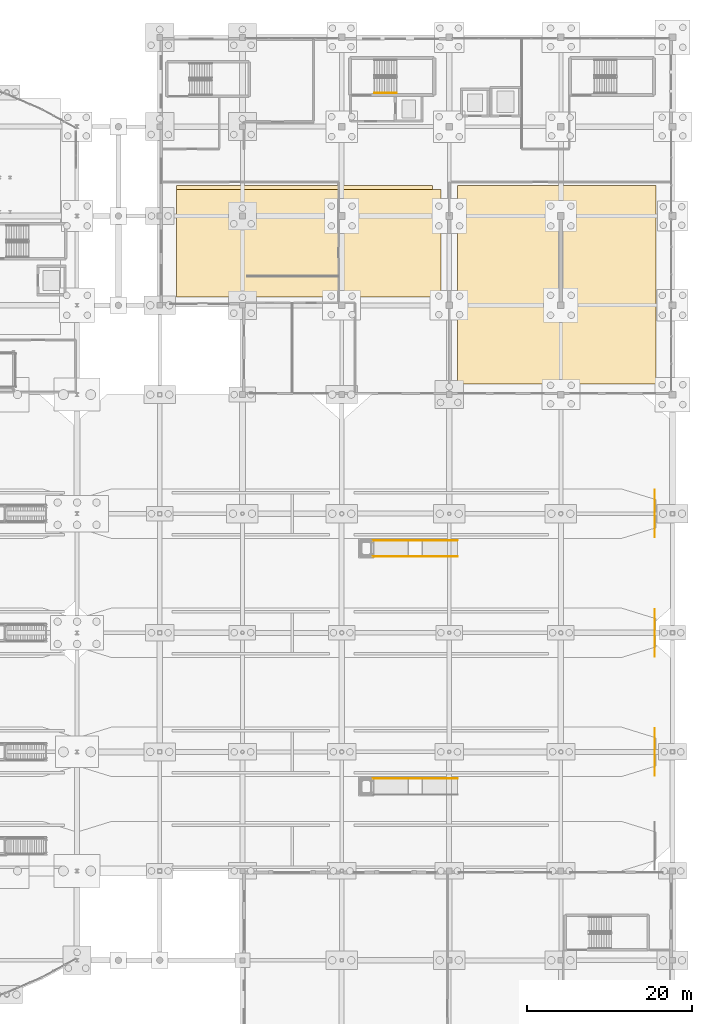
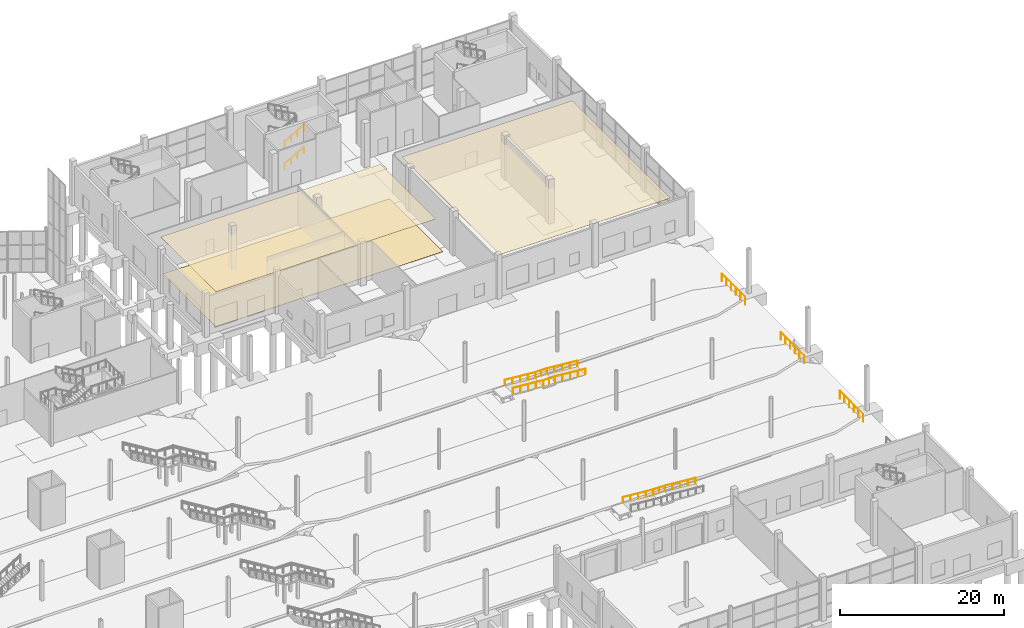
# One storey, part 113 of 115: 8 railings, 3 coverings.
"""IFC4 building model written with IfcOpenShell, lengths in metres."""

import ifcopenshell
import ifcopenshell.guid

model = None  # the IFC model being written
_history = None  # IfcOwnerHistory: only IFC2X3 demands one
_inside = {}  # id of a spatial element -> (the spatial element, [elements in it])
_under = {}  # id of a project, library or spatial element -> (it, [spatial elements below it])
_declared = {}  # id of a project -> (the project, [libraries it declares])
_typed = {}  # id of a type object -> (the type object, [elements of that type])
_made_of = {}  # id of a material, layer set ... -> (it, [elements and type objects made of it])


def new_model(schema):
    """Start an empty IFC model of exactly this schema.

    Asked for "IFC4X3", IfcOpenShell would pick the latest addendum, in which some entities
    have other attributes; the version numbers below select the first issue.
    IFC2X3 requires an IfcOwnerHistory on every rooted entity: one is made here for all.
    """
    global model, _history
    if schema == "IFC4X3":
        model = ifcopenshell.file(schema_version=(4, 3, 0, 0))
    else:
        model = ifcopenshell.file(schema=schema)
    _inside.clear()
    _under.clear()
    _declared.clear()
    _typed.clear()
    _made_of.clear()
    _history = None
    if model.schema == "IFC2X3":
        org = make("IfcOrganization", Name="unknown")
        user = make(
            "IfcPersonAndOrganization",
            ThePerson=make("IfcPerson", FamilyName="unknown"),
            TheOrganization=org,
        )
        app = make(
            "IfcApplication",
            ApplicationDeveloper=org,
            Version="unknown",
            ApplicationFullName="unknown",
            ApplicationIdentifier="unknown",
        )
        _history = make(
            "IfcOwnerHistory",
            OwningUser=user,
            OwningApplication=app,
            ChangeAction="ADDED",
            CreationDate=0,
        )
    return model


def make(cls, **values):
    """One entity of the class cls with the attributes given. An attribute that is None is left unset."""
    return model.create_entity(
        cls, **{name: value for name, value in values.items() if value is not None}
    )


def rooted(cls, **values):
    """An entity with a GlobalId (a new one), such as an element, a storey or a relation."""
    return make(cls, GlobalId=ifcopenshell.guid.new(), OwnerHistory=_history, **values)


def si_unit(unit_type, name, prefix=None):
    """IfcSIUnit, for example si_unit("LENGTHUNIT", "METRE", prefix="MILLI")."""
    return make("IfcSIUnit", UnitType=unit_type, Prefix=prefix, Name=name)


def assignment(units):
    """IfcUnitAssignment: the units of a project."""
    return None if units is None else make("IfcUnitAssignment", Units=units)


def point(xyz):
    """IfcCartesianPoint."""
    return None if xyz is None else make("IfcCartesianPoint", Coordinates=xyz)


def direction(xyz):
    """IfcDirection."""
    return None if xyz is None else make("IfcDirection", DirectionRatios=xyz)


def frame(location, z_axis=None, x_axis=None):
    """IfcAxis2Placement3D, a coordinate frame: its origin and axes. An axis left out is left unset."""
    return make(
        "IfcAxis2Placement3D",
        Location=point(location),
        Axis=direction(z_axis),
        RefDirection=direction(x_axis),
    )


def frame_2d(location, x_axis=None):
    """IfcAxis2Placement2D, a coordinate frame in the plane: its origin and x axis."""
    return make(
        "IfcAxis2Placement2D", Location=point(location), RefDirection=direction(x_axis)
    )


def origin():
    """The frame at (0, 0, 0) with its axes left unset."""
    return frame((0.0, 0.0, 0.0))


def origin_2d():
    """The frame at (0, 0) in the plane with its x axis left unset."""
    return frame_2d((0.0, 0.0))


def place(relative_to, where):
    """IfcLocalPlacement: puts the frame where relative to a parent placement (None: the world)."""
    return make(
        "IfcLocalPlacement", PlacementRelTo=relative_to, RelativePlacement=where
    )


def context(
    kind, dimensions, precision=None, world=None, true_north=None, identifier=None
):
    """IfcGeometricRepresentationContext, for example the 3D "Model" context."""
    return make(
        "IfcGeometricRepresentationContext",
        ContextIdentifier=identifier,
        ContextType=kind,
        CoordinateSpaceDimension=dimensions,
        Precision=precision,
        WorldCoordinateSystem=world,
        TrueNorth=true_north,
    )


def subcontext(parent, identifier, kind, view, scale=None):
    """IfcGeometricRepresentationSubContext, for example "Body" below "Model"."""
    return make(
        "IfcGeometricRepresentationSubContext",
        ContextIdentifier=identifier,
        ContextType=kind,
        ParentContext=parent,
        TargetScale=scale,
        TargetView=view,
    )


def project(units=None, contexts=None):
    """IfcProject with its units and contexts."""
    return rooted(
        "IfcProject",
        Name="project",
        RepresentationContexts=contexts,
        UnitsInContext=assignment(units),
    )


def spatial(cls, under=None, at=None, **own):
    """A site, building, storey or space (cls), placed at a placement, below another one or the project."""
    s = rooted(cls, ObjectPlacement=at, **own)
    if under is not None:
        _under.setdefault(under.id(), (under, []))[1].append(s)
    return s


def polyline(points):
    """IfcPolyline through the points."""
    return make("IfcPolyline", Points=[point(p) for p in points])


def profile(cls, at=None, kind="AREA", **sizes):
    """A parametric profile (cls). Its sizes go by their IFC names, for example OverallWidth=200.0."""
    return make(cls, ProfileType=kind, Position=at, **sizes)


def circle(**sizes):
    """IfcCircleProfileDef."""
    return profile("IfcCircleProfileDef", **sizes)


def outline(outer, holes=None, kind="AREA"):
    """IfcArbitraryClosedProfileDef: a profile drawn as a closed curve; with holes, ...WithVoids."""
    if holes is None:
        return make("IfcArbitraryClosedProfileDef", ProfileType=kind, OuterCurve=outer)
    return make(
        "IfcArbitraryProfileDefWithVoids",
        ProfileType=kind,
        OuterCurve=outer,
        InnerCurves=holes,
    )


def extrude(swept, where, along, depth):
    """IfcExtrudedAreaSolid: the profile swept, set in the frame where, extruded along a direction by depth."""
    return make(
        "IfcExtrudedAreaSolid",
        SweptArea=swept,
        Position=where,
        ExtrudedDirection=direction(along),
        Depth=depth,
    )


def shape(context_of_items, identifier, shape_type, items):
    """IfcShapeRepresentation: the items that make up one representation, for example the "Body"."""
    return make(
        "IfcShapeRepresentation",
        ContextOfItems=context_of_items,
        RepresentationIdentifier=identifier,
        RepresentationType=shape_type,
        Items=items,
    )


def material(Name=None, Category=None):
    """IfcMaterial."""
    return make("IfcMaterial", Name=Name, Category=Category)


def layer(
    of_material, thickness, ventilated=None, Name=None, Category=None, Priority=None
):
    """IfcMaterialLayer: one layer of a wall or slab, of a material (None: an air gap)."""
    return make(
        "IfcMaterialLayer",
        Material=of_material,
        LayerThickness=thickness,
        IsVentilated=ventilated,
        Name=Name,
        Category=Category,
        Priority=Priority,
    )


def layer_set(layers, Name=None):
    """IfcMaterialLayerSet."""
    return make("IfcMaterialLayerSet", MaterialLayers=layers, LayerSetName=Name)


def made_of(thing, what):
    """Note that an element or type object is made of a material, layer set ...; save() writes the relation."""
    if what is not None:
        _made_of.setdefault(what.id(), (what, []))[1].append(thing)
    return thing


def type_object(cls, material=None, **own):
    """A type object (cls), such as IfcWallType, which elements share."""
    return made_of(rooted(cls, **own), material)


def element(
    cls,
    number,
    at=None,
    inside=None,
    cuts=None,
    type_object=None,
    material=None,
    context=None,
    identifier="Body",
    shape_type=None,
    held_by="IfcProductDefinitionShape",
    body=None,
    shapes=None,
    **own,
):
    """One element of the class cls, such as IfcWall. Its Tag is "e" and its number.

    at: its placement. inside: the storey or other place that contains it. cuts: it is an
    opening in that element (IfcRelVoidsElement). A single representation is given by context,
    identifier, shape_type and body (its items); several are given by shapes. held_by: the class
    of the entity that holds the representations. save() writes the other relations.
    """
    e = rooted(cls, Tag="e%d" % number, ObjectPlacement=at, **own)
    if body is not None:
        shapes = [shape(context, identifier, shape_type, body)]
    if shapes is not None:
        e.Representation = make(held_by, Representations=shapes)
    if inside is not None:
        _inside.setdefault(inside.id(), (inside, []))[1].append(e)
    if cuts is not None:
        rooted(
            "IfcRelVoidsElement", RelatingBuildingElement=cuts, RelatedOpeningElement=e
        )
    if type_object is not None:
        _typed.setdefault(type_object.id(), (type_object, []))[1].append(e)
    return made_of(e, material)


def aggregate(whole, parts):
    """IfcRelAggregates: a whole, such as a stair, and the parts it consists of."""
    return rooted("IfcRelAggregates", RelatingObject=whole, RelatedObjects=parts)


def save(model, path):
    """Write the relations noted so far, then the file.

    IfcRelAggregates (storeys below a building ...), IfcRelContainedInSpatialStructure (elements
    in a storey), IfcRelDefinesByType, IfcRelAssociatesMaterial and IfcRelDeclares: one each for
    every whole, place, type object, material and project.
    """
    for whole, parts in _under.values():
        aggregate(whole, parts)
    for where, things in _inside.values():
        rooted(
            "IfcRelContainedInSpatialStructure",
            RelatedElements=things,
            RelatingStructure=where,
        )
    for kind, things in _typed.values():
        rooted("IfcRelDefinesByType", RelatedObjects=things, RelatingType=kind)
    for what, things in _made_of.values():
        rooted("IfcRelAssociatesMaterial", RelatedObjects=things, RelatingMaterial=what)
    for by, libraries in _declared.values():
        rooted("IfcRelDeclares", RelatingContext=by, RelatedDefinitions=libraries)
    model.write(path)


model = new_model("IFC4")

# Units and contexts
model_context = context("Model", 3, precision=1e-05, world=origin(), true_north=direction((0.0, 1.0)))
body_context = subcontext(model_context, "Body", "Model", "MODEL_VIEW")
ifc_project = project(units=[si_unit("LENGTHUNIT", "METRE"), si_unit("AREAUNIT", "SQUARE_METRE"), si_unit("VOLUMEUNIT", "CUBIC_METRE"), si_unit("PLANEANGLEUNIT", "RADIAN"), si_unit("MASSUNIT", "GRAM", prefix="KILO")], contexts=[model_context])

# Site, building, storey
site_placement = place(None, origin())
site = spatial("IfcSite", under=ifc_project, at=site_placement, CompositionType="ELEMENT")
building_placement = place(site_placement, origin())
building = spatial("IfcBuilding", under=site, at=building_placement, Name="Tamarisk Ironworks Central Station", CompositionType="ELEMENT")
storey_placement = place(building_placement, origin())
storey = spatial("IfcBuildingStorey", under=building, at=storey_placement, Name="L00", CompositionType="ELEMENT", Elevation=0.0)

# Coverings
ifc_material_1 = material(Name="Gypsum plasterboard acoustic partition")
ifc_layer_1 = layer(ifc_material_1, 0.0400390625)
ifc_layer_set_1 = layer_set([ifc_layer_1], Name="Gypsum plasterboard acoustic partition")
covering_type_1 = type_object("IfcCoveringType", Name="COV-CEIL-AC", PredefinedType="CEILING", material=ifc_layer_set_1)
covering_1_placement = place(storey_placement, frame((0.0, 0.0, 5.199951171875)))
element("IfcCovering", 1, at=covering_1_placement, inside=storey, type_object=covering_type_1, Name="L00 suspended acoustic baffle ceiling 001", PredefinedType="CEILING", context=body_context, shape_type="SweptSolid", body=[
    extrude(outline(polyline([(120.0, 91.0), (151.0, 91.0), (151.0, 104.5), (120.0, 104.5), (120.0, 91.0)])), origin(), (0.0, 0.0, 1.0), 0.0400390625),
])
ifc_material_2 = material(Name="Anodized aluminium alloy 6063-T6", Category="aluminium")
ifc_layer_2 = layer(ifc_material_2, 0.044921875)
ifc_layer_set_2 = layer_set([ifc_layer_2], Name="Anodized aluminium alloy 6063-T6")
covering_type_2 = type_object("IfcCoveringType", Name="COV-CEIL-MT", PredefinedType="CEILING", material=ifc_layer_set_2)
covering_2_placement = place(storey_placement, frame((0.0, 0.0, 5.199951171875)))
element("IfcCovering", 2, at=covering_2_placement, inside=storey, type_object=covering_type_2, Name="L00 suspended acoustic baffle ceiling 002", PredefinedType="CEILING", context=body_context, shape_type="SweptSolid", body=[
    extrude(outline(polyline([(154.0, 80.5), (178.0, 80.5), (178.0, 104.5), (154.0, 104.5), (154.0, 80.5)])), origin(), (0.0, 0.0, 1.0), 0.045166015625),
])
ifc_material_3 = material(Name="Granite tactile platform paving", Category="masonry")
ifc_layer_3 = layer(ifc_material_3, 0.02001953125)
ifc_layer_set_3 = layer_set([ifc_layer_3], Name="Granite tactile platform paving")
covering_type_3 = type_object("IfcCoveringType", Name="COV-FLOOR-TC", PredefinedType="FLOORING", material=ifc_layer_set_3)
covering_3_placement = place(storey_placement, origin())
element("IfcCovering", 3, at=covering_3_placement, inside=storey, type_object=covering_type_3, Name="L00 granite/terrazzo floor finish 003", PredefinedType="FLOORING", context=body_context, shape_type="SweptSolid", body=[
    extrude(outline(polyline([(120.0, 91.0), (152.0, 91.0), (152.0, 104.0), (120.0, 104.0), (120.0, 91.0)])), origin(), (0.0, 0.0, 1.0), 0.02001953125),
])

# Railings
ifc_material_4 = material(Name="Brushed stainless steel AISI 316", Category="steel")
railing_type_1 = type_object("IfcRailingType", Name="RL-GUARD-INT", PredefinedType="BALUSTRADE", material=ifc_material_4)
railing_1_placement = place(storey_placement, frame((177.85009765625, 33.14990234375, 0.719970703125)))
element("IfcRailing", 4, at=railing_1_placement, inside=storey, type_object=railing_type_1, Name="P2 east buffer-end safety guard", PredefinedType="BALUSTRADE", context=body_context, shape_type="SweptSolid", body=[
    extrude(circle(Radius=0.02392578125, at=origin_2d()), frame((0.0, 0.0, 1.09619140625), z_axis=(0.0, 1.0, 0.0), x_axis=(-1.0, 0.0, 0.0)), (0.0, 0.0, 1.0), 5.7001953125),
    extrude(circle(Radius=0.02099609375, at=origin_2d()), origin(), (0.0, 0.0, 1.0), 1.072021484375),
    extrude(circle(Radius=0.02099609375, at=origin_2d()), frame((0.0, 1.14013671875, 0.0)), (0.0, 0.0, 1.0), 1.072021484375),
    extrude(circle(Radius=0.02099609375, at=origin_2d()), frame((0.0, 2.280029296875, 0.0)), (0.0, 0.0, 1.0), 1.072021484375),
    extrude(circle(Radius=0.02099609375, at=origin_2d()), frame((0.0, 3.420166015625, 0.0)), (0.0, 0.0, 1.0), 1.072021484375),
    extrude(circle(Radius=0.02099609375, at=origin_2d()), frame((0.0, 4.56005859375, 0.0)), (0.0, 0.0, 1.0), 1.072021484375),
    extrude(circle(Radius=0.02099609375, at=origin_2d()), frame((0.0, 5.7001953125, 0.0)), (0.0, 0.0, 1.0), 1.072021484375),
])
for number, where, name in (
    (5, (177.85009765625, 47.550048828125, 0.719970703125), "P3 east buffer-end safety guard"),
    (6, (177.85009765625, 61.949951171875, 0.719970703125), "P4 east buffer-end safety guard"),
):
    element("IfcRailing", number, at=place(storey_placement, frame(where)), inside=storey, type_object=railing_type_1, Name=name, PredefinedType="BALUSTRADE", context=body_context, shape_type="SweptSolid", body=[
        extrude(circle(Radius=0.02392578125, at=origin_2d()), frame((0.0, 0.0, 1.09619140625), z_axis=(0.0, 1.0, 0.0), x_axis=(-1.0, 0.0, 0.0)), (0.0, 0.0, 1.0), 5.699951171875),
        extrude(circle(Radius=0.02099609375, at=origin_2d()), origin(), (0.0, 0.0, 1.0), 1.072021484375),
        extrude(circle(Radius=0.02099609375, at=origin_2d()), frame((0.0, 1.139892578125, 0.0)), (0.0, 0.0, 1.0), 1.072021484375),
        extrude(circle(Radius=0.02099609375, at=origin_2d()), frame((0.0, 2.280029296875, 0.0)), (0.0, 0.0, 1.0), 1.072021484375),
        extrude(circle(Radius=0.02099609375, at=origin_2d()), frame((0.0, 3.419921875, 0.0)), (0.0, 0.0, 1.0), 1.072021484375),
        extrude(circle(Radius=0.02099609375, at=origin_2d()), frame((0.0, 4.56005859375, 0.0)), (0.0, 0.0, 1.0), 1.072021484375),
        extrude(circle(Radius=0.02099609375, at=origin_2d()), frame((0.0, 5.699951171875, 0.0)), (0.0, 0.0, 1.0), 1.072021484375),
    ])
railing_type_2 = type_object("IfcRailingType", Name="RL-HAND", PredefinedType="HANDRAIL", material=ifc_material_4)
for number, where, name in (
    (7, (143.949951171875, 115.64990234375, 0.1650390625), "L00 ST-C1 stair handrail 1"),
    (8, (143.949951171875, 115.64990234375, 3.465087890625), "L00 ST-C1 stair handrail 3"),
):
    element("IfcRailing", number, at=place(storey_placement, frame(where)), inside=storey, type_object=railing_type_2, Name=name, PredefinedType="HANDRAIL", context=body_context, shape_type="SweptSolid", body=[
        extrude(circle(Radius=0.02392578125, at=origin_2d()), frame((0.0, 0.0, 0.8759765625), z_axis=(0.876230963923, 0.0, 0.481891375584), x_axis=(0.0, 1.0, 0.0)), (0.0, 0.0, 1.0), 3.081298828125),
        extrude(circle(Radius=0.02099609375, at=origin_2d()), origin(), (0.0, 0.0, 1.0), 0.851806640625),
        extrude(circle(Radius=0.02099609375, at=origin_2d()), frame((0.89990234375, 0.0, 0.494873046875)), (0.0, 0.0, 1.0), 0.851806640625),
        extrude(circle(Radius=0.02099609375, at=origin_2d()), frame((1.800048828125, 0.0, 0.989990234375)), (0.0, 0.0, 1.0), 0.851806640625),
        extrude(circle(Radius=0.02099609375, at=origin_2d()), frame((2.699951171875, 0.0, 1.48486328125)), (0.0, 0.0, 1.0), 0.851806640625),
    ])
railing_type_3 = type_object("IfcRailingType", Name="RL-RAMP", PredefinedType="HANDRAIL", material=ifc_material_4)
railing_2_placement = place(storey_placement, frame((154.0, 32.780029296875, 0.0)))
element("IfcRailing", 9, at=railing_2_placement, inside=storey, type_object=railing_type_3, Name="RMP-P2E accessible handrail N", PredefinedType="HANDRAIL", context=body_context, shape_type="SweptSolid", body=[
    extrude(circle(Radius=0.02392578125, at=origin_2d()), frame((0.0, 0.0, 0.89599609375), z_axis=(-0.996543815979, 0.0, 0.083068783756), x_axis=(0.0, -1.0, 0.0)), (0.0, 0.0, 1.0), 4.3349609375),
    extrude(circle(Radius=0.02392578125, at=origin_2d()), frame((-4.320068359375, 0.0, 1.255859375), z_axis=(-1.0, 0.0, 0.0), x_axis=(0.0, -1.0, 0.0)), (0.0, 0.0, 1.0), 1.599853515625),
    extrude(circle(Radius=0.02392578125, at=origin_2d()), frame((-5.919921875, 0.0, 1.255859375), z_axis=(-0.996548476515, 0.0, 0.083012854161), x_axis=(0.0, -1.0, 0.0)), (0.0, 0.0, 1.0), 4.3349609375),
    extrude(circle(Radius=0.02099609375, at=origin_2d()), origin(), (0.0, 0.0, 1.0), 0.871826171875),
    extrude(circle(Radius=0.02099609375, at=origin_2d()), frame((-1.080078125, 0.0, 0.090087890625)), (0.0, 0.0, 1.0), 0.871826171875),
    extrude(circle(Radius=0.02099609375, at=origin_2d()), frame((-2.16015625, 0.0, 0.18017578125)), (0.0, 0.0, 1.0), 0.871826171875),
    extrude(circle(Radius=0.02099609375, at=origin_2d()), frame((-3.239990234375, 0.0, 0.27001953125)), (0.0, 0.0, 1.0), 0.871826171875),
    extrude(circle(Radius=0.02099609375, at=origin_2d()), frame((-4.320068359375, 0.0, 0.360107421875)), (0.0, 0.0, 1.0), 0.871826171875),
    extrude(circle(Radius=0.02099609375, at=origin_2d()), frame((-5.1201171875, 0.0, 0.360107421875)), (0.0, 0.0, 1.0), 0.871826171875),
    extrude(circle(Radius=0.02099609375, at=origin_2d()), frame((-5.919921875, 0.0, 0.360107421875)), (0.0, 0.0, 1.0), 0.871826171875),
    extrude(circle(Radius=0.02099609375, at=origin_2d()), frame((-7.0, 0.0, 0.4501953125)), (0.0, 0.0, 1.0), 0.871826171875),
    extrude(circle(Radius=0.02099609375, at=origin_2d()), frame((-8.080078125, 0.0, 0.5400390625)), (0.0, 0.0, 1.0), 0.871826171875),
    extrude(circle(Radius=0.02099609375, at=origin_2d()), frame((-9.159912109375, 0.0, 0.6298828125)), (0.0, 0.0, 1.0), 0.871826171875),
    extrude(circle(Radius=0.02099609375, at=origin_2d()), frame((-10.239990234375, 0.0, 0.719970703125)), (0.0, 0.0, 1.0), 0.871826171875),
])
railing_3_placement = place(storey_placement, frame((154.0, 59.6201171875, 0.0)))
element("IfcRailing", 10, at=railing_3_placement, inside=storey, type_object=railing_type_3, Name="RMP-P4E accessible handrail S", PredefinedType="HANDRAIL", context=body_context, shape_type="SweptSolid", body=[
    extrude(circle(Radius=0.02392578125, at=origin_2d()), frame((0.0, 0.0, 0.89599609375), z_axis=(-0.996543815979, 0.0, 0.083068783756), x_axis=(0.0, -1.0, 0.0)), (0.0, 0.0, 1.0), 4.3349609375),
    extrude(circle(Radius=0.02392578125, at=origin_2d()), frame((-4.320068359375, 0.0, 1.255859375), z_axis=(-1.0, 0.0, 0.0), x_axis=(0.0, -1.0, 0.0)), (0.0, 0.0, 1.0), 1.599853515625),
    extrude(circle(Radius=0.02392578125, at=origin_2d()), frame((-5.919921875, 0.0, 1.255859375), z_axis=(-0.996548476515, 0.0, 0.083012854161), x_axis=(0.0, -1.0, 0.0)), (0.0, 0.0, 1.0), 4.3349609375),
    extrude(circle(Radius=0.02099609375, at=origin_2d()), origin(), (0.0, 0.0, 1.0), 0.871826171875),
    extrude(circle(Radius=0.02099609375, at=origin_2d()), frame((-1.080078125, 0.0, 0.090087890625)), (0.0, 0.0, 1.0), 0.871826171875),
    extrude(circle(Radius=0.02099609375, at=origin_2d()), frame((-2.16015625, 0.0, 0.18017578125)), (0.0, 0.0, 1.0), 0.871826171875),
    extrude(circle(Radius=0.02099609375, at=origin_2d()), frame((-3.239990234375, 0.0, 0.27001953125)), (0.0, 0.0, 1.0), 0.871826171875),
    extrude(circle(Radius=0.02099609375, at=origin_2d()), frame((-4.320068359375, 0.0, 0.360107421875)), (0.0, 0.0, 1.0), 0.871826171875),
    extrude(circle(Radius=0.02099609375, at=origin_2d()), frame((-5.1201171875, 0.0, 0.360107421875)), (0.0, 0.0, 1.0), 0.871826171875),
    extrude(circle(Radius=0.02099609375, at=origin_2d()), frame((-5.919921875, 0.0, 0.360107421875)), (0.0, 0.0, 1.0), 0.871826171875),
    extrude(circle(Radius=0.02099609375, at=origin_2d()), frame((-7.0, 0.0, 0.4501953125)), (0.0, 0.0, 1.0), 0.871826171875),
    extrude(circle(Radius=0.02099609375, at=origin_2d()), frame((-8.080078125, 0.0, 0.5400390625)), (0.0, 0.0, 1.0), 0.871826171875),
    extrude(circle(Radius=0.02099609375, at=origin_2d()), frame((-9.159912109375, 0.0, 0.6298828125)), (0.0, 0.0, 1.0), 0.871826171875),
    extrude(circle(Radius=0.02099609375, at=origin_2d()), frame((-10.239990234375, 0.0, 0.719970703125)), (0.0, 0.0, 1.0), 0.871826171875),
])
railing_4_placement = place(storey_placement, frame((154.0, 61.580078125, 0.0)))
element("IfcRailing", 11, at=railing_4_placement, inside=storey, type_object=railing_type_3, Name="RMP-P4E accessible handrail N", PredefinedType="HANDRAIL", context=body_context, shape_type="SweptSolid", body=[
    extrude(circle(Radius=0.02392578125, at=origin_2d()), frame((0.0, 0.0, 0.89599609375), z_axis=(-0.996543815979, 0.0, 0.083068783756), x_axis=(0.0, -1.0, 0.0)), (0.0, 0.0, 1.0), 4.3349609375),
    extrude(circle(Radius=0.02392578125, at=origin_2d()), frame((-4.320068359375, 0.0, 1.255859375), z_axis=(-1.0, 0.0, 0.0), x_axis=(0.0, -1.0, 0.0)), (0.0, 0.0, 1.0), 1.599853515625),
    extrude(circle(Radius=0.02392578125, at=origin_2d()), frame((-5.919921875, 0.0, 1.255859375), z_axis=(-0.996548476515, 0.0, 0.083012854161), x_axis=(0.0, -1.0, 0.0)), (0.0, 0.0, 1.0), 4.3349609375),
    extrude(circle(Radius=0.02099609375, at=origin_2d()), origin(), (0.0, 0.0, 1.0), 0.871826171875),
    extrude(circle(Radius=0.02099609375, at=origin_2d()), frame((-1.080078125, 0.0, 0.090087890625)), (0.0, 0.0, 1.0), 0.871826171875),
    extrude(circle(Radius=0.02099609375, at=origin_2d()), frame((-2.16015625, 0.0, 0.18017578125)), (0.0, 0.0, 1.0), 0.871826171875),
    extrude(circle(Radius=0.02099609375, at=origin_2d()), frame((-3.239990234375, 0.0, 0.27001953125)), (0.0, 0.0, 1.0), 0.871826171875),
    extrude(circle(Radius=0.02099609375, at=origin_2d()), frame((-4.320068359375, 0.0, 0.360107421875)), (0.0, 0.0, 1.0), 0.871826171875),
    extrude(circle(Radius=0.02099609375, at=origin_2d()), frame((-5.1201171875, 0.0, 0.360107421875)), (0.0, 0.0, 1.0), 0.871826171875),
    extrude(circle(Radius=0.02099609375, at=origin_2d()), frame((-5.919921875, 0.0, 0.360107421875)), (0.0, 0.0, 1.0), 0.871826171875),
    extrude(circle(Radius=0.02099609375, at=origin_2d()), frame((-7.0, 0.0, 0.4501953125)), (0.0, 0.0, 1.0), 0.871826171875),
    extrude(circle(Radius=0.02099609375, at=origin_2d()), frame((-8.080078125, 0.0, 0.5400390625)), (0.0, 0.0, 1.0), 0.871826171875),
    extrude(circle(Radius=0.02099609375, at=origin_2d()), frame((-9.159912109375, 0.0, 0.6298828125)), (0.0, 0.0, 1.0), 0.871826171875),
    extrude(circle(Radius=0.02099609375, at=origin_2d()), frame((-10.239990234375, 0.0, 0.719970703125)), (0.0, 0.0, 1.0), 0.871826171875),
])

save(model, "model.ifc")
